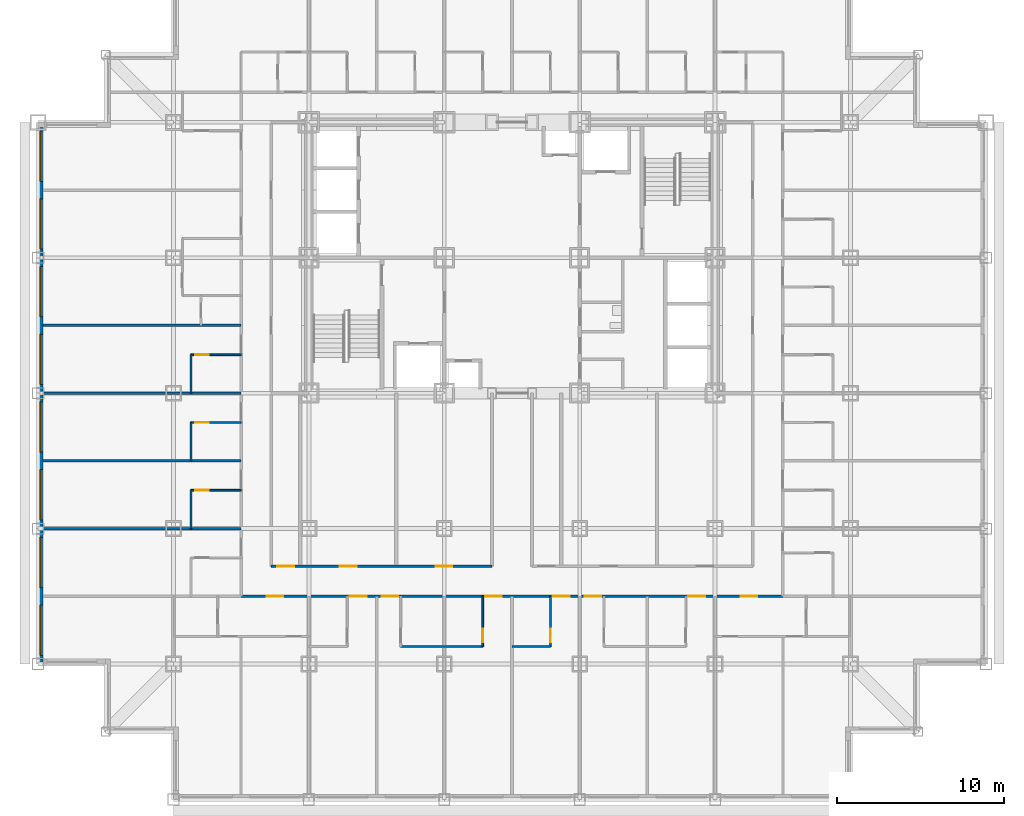
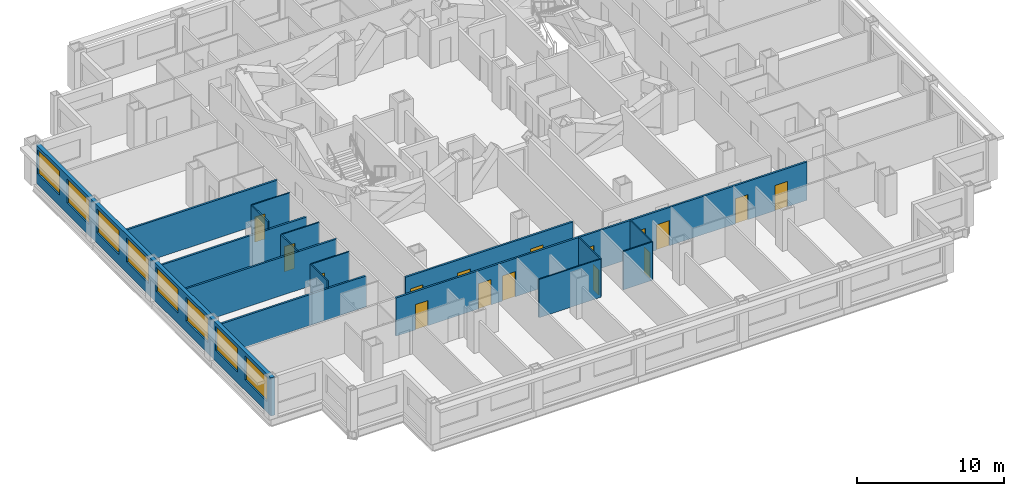
# One storey, part 4 of 12: 17 walls, 16 doors, 8 windows, 24 openings.
"""IFC4 building model written with IfcOpenShell, lengths in metres."""

from ifc_helpers import new_model, si_unit, direction, frame, frame_2d, origin, place, context, subcontext, project, spatial, rectangle, extrude, material, layer, layer_set, type_object, element, fill, save


model = new_model("IFC4")

# Units and contexts
model_context = context("Model", 3, precision=1e-05, world=origin(), true_north=direction((0.0, 1.0)))
body_context = subcontext(model_context, "Body", "Model", "MODEL_VIEW")
ifc_project = project(units=[si_unit("LENGTHUNIT", "METRE"), si_unit("AREAUNIT", "SQUARE_METRE"), si_unit("VOLUMEUNIT", "CUBIC_METRE"), si_unit("PLANEANGLEUNIT", "RADIAN"), si_unit("MASSUNIT", "GRAM", prefix="KILO")], contexts=[model_context])

# Site, building, storey
site_placement = place(None, origin())
site = spatial("IfcSite", under=ifc_project, at=site_placement, CompositionType="ELEMENT")
building_placement = place(site_placement, origin())
building = spatial("IfcBuilding", under=site, at=building_placement, Name="Kopane Lantern Tower", CompositionType="ELEMENT")
storey_placement = place(building_placement, frame((0.0, 0.0, 53.39990234375)))
storey = spatial("IfcBuildingStorey", under=building, at=storey_placement, Name="L12", CompositionType="ELEMENT", Elevation=53.39990234375)

# Wall
ifc_material_1 = material(Name="Moisture-resistant board on steel studs", Category="steel")
ifc_layer_1 = layer(ifc_material_1, 0.10009765625)
ifc_layer_set_1 = layer_set([ifc_layer_1], Name="BATHROOM WALL 100")
wall_type_1 = type_object("IfcWallType", Name="BATHROOM WALL 100", PredefinedType="PARTITIONING", material=ifc_layer_set_1)
wall_1_placement = place(storey_placement, frame((21.699951171875, 9.14990234375, 0.0), z_axis=(0.0, 0.0, 1.0), x_axis=(1.0, 0.0, 0.0)))
element("IfcWall", 1, at=wall_1_placement, inside=storey, type_object=wall_type_1, Name="Bathroom Wall 100 L12", PredefinedType="PARTITIONING", context=body_context, shape_type="SweptSolid", body=[
    extrude(rectangle(XDim=4.900146484375, YDim=0.10009765625, at=frame_2d((2.4501953125, 0.0))), origin(), (0.0, 0.0, 1.0), 3.190185546875),
])

# Wall, opening, door
wall_2_placement = place(storey_placement, frame((26.60009765625, 12.14990234375, 0.0), z_axis=(0.0, 0.0, 1.0), x_axis=(0.0, -1.0, 0.0)))
wall_2 = element("IfcWall", 2, at=wall_2_placement, inside=storey, type_object=wall_type_1, Name="Bathroom Wall 100 L12", PredefinedType="PARTITIONING", context=body_context, shape_type="SweptSolid", body=[
    extrude(rectangle(XDim=3.0, YDim=0.10009765625, at=frame_2d((1.5, 0.0))), origin(), (0.0, 0.0, 1.0), 3.190185546875),
])
opening_1_placement = place(wall_2_placement, frame((1.949951171875, 0.0, 0.0)))
opening_1 = element("IfcOpeningElement", 3, at=opening_1_placement, cuts=wall_2, Name="Opening L12-015", PredefinedType="OPENING", context=body_context, shape_type="SweptSolid", body=[
    extrude(rectangle(XDim=0.800048828125, YDim=2.10009765625, at=frame_2d((0.39990234375, 1.050048828125))), frame((0.0, 0.06005859375, 0.0), z_axis=(0.0, -1.0, 0.0), x_axis=(1.0, 0.0, 0.0)), (0.0, 0.0, 1.0), 0.1201171875),
])
ifc_material_2 = material(Name="Timber door set", Category="wood")
door_type_1 = type_object("IfcDoorType", Name="DOOR D2 800x2100", OperationType="SINGLE_SWING_LEFT", PredefinedType="DOOR", material=ifc_material_2)
door_1_placement = place(opening_1_placement, origin())
door_1 = element("IfcDoor", 4, at=door_1_placement, inside=storey, type_object=door_type_1, Name="Door L12-015", OperationType="SINGLE_SWING_LEFT", OverallHeight=2.10009765625, OverallWidth=0.800048828125, PredefinedType="DOOR", context=body_context, shape_type="SweptSolid", body=[
    extrude(rectangle(XDim=0.800048828125, YDim=2.10009765625, at=frame_2d((0.39990234375, 1.050048828125))), frame((0.0, 0.02490234375, 0.0), z_axis=(0.0, -1.0, 0.0), x_axis=(1.0, 0.0, 0.0)), (0.0, 0.0, 1.0), 0.050048828125),
])
fill(opening_1, door_1)

# Wall
wall_3_placement = place(storey_placement, frame((28.35009765625, 9.14990234375, 0.0), z_axis=(0.0, 0.0, 1.0), x_axis=(1.0, 0.0, 0.0)))
element("IfcWall", 5, at=wall_3_placement, inside=storey, type_object=wall_type_1, Name="Bathroom Wall 100 L12", PredefinedType="PARTITIONING", context=body_context, shape_type="SweptSolid", body=[
    extrude(rectangle(XDim=2.2998046875, YDim=0.10009765625, at=frame_2d((1.14990234375, 0.0))), origin(), (0.0, 0.0, 1.0), 3.190185546875),
])

# Wall, opening, door
wall_4_placement = place(storey_placement, frame((30.64990234375, 12.14990234375, 0.0), z_axis=(0.0, 0.0, 1.0), x_axis=(0.0, -1.0, 0.0)))
wall_4 = element("IfcWall", 6, at=wall_4_placement, inside=storey, type_object=wall_type_1, Name="Bathroom Wall 100 L12", PredefinedType="PARTITIONING", context=body_context, shape_type="SweptSolid", body=[
    extrude(rectangle(XDim=3.0, YDim=0.10009765625, at=frame_2d((1.5, 0.0))), origin(), (0.0, 0.0, 1.0), 3.190185546875),
])
opening_2_placement = place(wall_4_placement, frame((1.949951171875, 0.0, 0.0)))
opening_2 = element("IfcOpeningElement", 7, at=opening_2_placement, cuts=wall_4, Name="Opening L12-017", PredefinedType="OPENING", context=body_context, shape_type="SweptSolid", body=[
    extrude(rectangle(XDim=0.800048828125, YDim=2.10009765625, at=frame_2d((0.39990234375, 1.050048828125))), frame((0.0, 0.06005859375, 0.0), z_axis=(0.0, -1.0, 0.0), x_axis=(1.0, 0.0, 0.0)), (0.0, 0.0, 1.0), 0.1201171875),
])
door_2_placement = place(opening_2_placement, origin())
door_2 = element("IfcDoor", 8, at=door_2_placement, inside=storey, type_object=door_type_1, Name="Door L12-017", OperationType="SINGLE_SWING_LEFT", OverallHeight=2.10009765625, OverallWidth=0.800048828125, PredefinedType="DOOR", context=body_context, shape_type="SweptSolid", body=[
    extrude(rectangle(XDim=0.800048828125, YDim=2.10009765625, at=frame_2d((0.39990234375, 1.050048828125))), frame((0.0, 0.02490234375, 0.0), z_axis=(0.0, -1.0, 0.0), x_axis=(1.0, 0.0, 0.0)), (0.0, 0.0, 1.0), 0.050048828125),
])
fill(opening_2, door_2)

# Wall
wall_5_placement = place(storey_placement, frame((9.14990234375, 16.199951171875, 0.0), z_axis=(0.0, 0.0, 1.0), x_axis=(0.0, 1.0, 0.0)))
element("IfcWall", 9, at=wall_5_placement, inside=storey, type_object=wall_type_1, Name="Bathroom Wall 100 L12", PredefinedType="PARTITIONING", context=body_context, shape_type="SweptSolid", body=[
    extrude(rectangle(XDim=2.300048828125, YDim=0.10009765625, at=frame_2d((1.14990234375, 0.0))), origin(), (0.0, 0.0, 1.0), 3.190185546875),
])

# Wall, opening, door
wall_6_placement = place(storey_placement, frame((12.14990234375, 18.5, 0.0), z_axis=(0.0, 0.0, 1.0), x_axis=(-1.0, 0.0, 0.0)))
wall_6 = element("IfcWall", 10, at=wall_6_placement, inside=storey, type_object=wall_type_1, Name="Bathroom Wall 100 L12", PredefinedType="PARTITIONING", context=body_context, shape_type="SweptSolid", body=[
    extrude(rectangle(XDim=3.0, YDim=0.10009765625, at=frame_2d((1.5, 0.0))), origin(), (0.0, 0.0, 1.0), 3.190185546875),
])
opening_3_placement = place(wall_6_placement, frame((1.949951171875, 0.0, 0.0)))
opening_3 = element("IfcOpeningElement", 11, at=opening_3_placement, cuts=wall_6, Name="Opening L12-037", PredefinedType="OPENING", context=body_context, shape_type="SweptSolid", body=[
    extrude(rectangle(XDim=0.800048828125, YDim=2.10009765625, at=frame_2d((0.39990234375, 1.050048828125))), frame((0.0, 0.06005859375, 0.0), z_axis=(0.0, -1.0, 0.0), x_axis=(1.0, 0.0, 0.0)), (0.0, 0.0, 1.0), 0.1201171875),
])
door_3_placement = place(opening_3_placement, origin())
door_3 = element("IfcDoor", 12, at=door_3_placement, inside=storey, type_object=door_type_1, Name="Door L12-037", OperationType="SINGLE_SWING_RIGHT", OverallHeight=2.10009765625, OverallWidth=0.800048828125, PredefinedType="DOOR", context=body_context, shape_type="SweptSolid", body=[
    extrude(rectangle(XDim=0.800048828125, YDim=2.10009765625, at=frame_2d((0.39990234375, 1.050048828125))), frame((0.0, 0.02490234375, 0.0), z_axis=(0.0, -1.0, 0.0), x_axis=(1.0, 0.0, 0.0)), (0.0, 0.0, 1.0), 0.050048828125),
])
fill(opening_3, door_3)

# Wall
wall_7_placement = place(storey_placement, frame((9.14990234375, 20.25, 0.0), z_axis=(0.0, 0.0, 1.0), x_axis=(0.0, 1.0, 0.0)))
element("IfcWall", 13, at=wall_7_placement, inside=storey, type_object=wall_type_1, Name="Bathroom Wall 100 L12", PredefinedType="PARTITIONING", context=body_context, shape_type="SweptSolid", body=[
    extrude(rectangle(XDim=2.300048828125, YDim=0.10009765625, at=frame_2d((1.14990234375, 0.0))), origin(), (0.0, 0.0, 1.0), 3.190185546875),
])

# Wall, opening, door
wall_8_placement = place(storey_placement, frame((12.14990234375, 22.550048828125, 0.0), z_axis=(0.0, 0.0, 1.0), x_axis=(-1.0, 0.0, 0.0)))
wall_8 = element("IfcWall", 14, at=wall_8_placement, inside=storey, type_object=wall_type_1, Name="Bathroom Wall 100 L12", PredefinedType="PARTITIONING", context=body_context, shape_type="SweptSolid", body=[
    extrude(rectangle(XDim=3.0, YDim=0.10009765625, at=frame_2d((1.5, 0.0))), origin(), (0.0, 0.0, 1.0), 3.190185546875),
])
opening_4_placement = place(wall_8_placement, frame((1.949951171875, 0.0, 0.0)))
opening_4 = element("IfcOpeningElement", 15, at=opening_4_placement, cuts=wall_8, Name="Opening L12-039", PredefinedType="OPENING", context=body_context, shape_type="SweptSolid", body=[
    extrude(rectangle(XDim=0.800048828125, YDim=2.10009765625, at=frame_2d((0.39990234375, 1.050048828125))), frame((0.0, 0.06005859375, 0.0), z_axis=(0.0, -1.0, 0.0), x_axis=(1.0, 0.0, 0.0)), (0.0, 0.0, 1.0), 0.1201171875),
])
door_4_placement = place(opening_4_placement, origin())
door_4 = element("IfcDoor", 16, at=door_4_placement, inside=storey, type_object=door_type_1, Name="Door L12-039", OperationType="SINGLE_SWING_RIGHT", OverallHeight=2.10009765625, OverallWidth=0.800048828125, PredefinedType="DOOR", context=body_context, shape_type="SweptSolid", body=[
    extrude(rectangle(XDim=0.800048828125, YDim=2.10009765625, at=frame_2d((0.39990234375, 1.050048828125))), frame((0.0, 0.02490234375, 0.0), z_axis=(0.0, -1.0, 0.0), x_axis=(1.0, 0.0, 0.0)), (0.0, 0.0, 1.0), 0.050048828125),
])
fill(opening_4, door_4)

# Wall
wall_9_placement = place(storey_placement, frame((9.14990234375, 24.300048828125, 0.0), z_axis=(0.0, 0.0, 1.0), x_axis=(0.0, 1.0, 0.0)))
element("IfcWall", 17, at=wall_9_placement, inside=storey, type_object=wall_type_1, Name="Bathroom Wall 100 L12", PredefinedType="PARTITIONING", context=body_context, shape_type="SweptSolid", body=[
    extrude(rectangle(XDim=2.300048828125, YDim=0.10009765625, at=frame_2d((1.14990234375, 0.0))), origin(), (0.0, 0.0, 1.0), 3.190185546875),
])

# Wall, opening, door
wall_10_placement = place(storey_placement, frame((12.14990234375, 26.60009765625, 0.0), z_axis=(0.0, 0.0, 1.0), x_axis=(-1.0, 0.0, 0.0)))
wall_10 = element("IfcWall", 18, at=wall_10_placement, inside=storey, type_object=wall_type_1, Name="Bathroom Wall 100 L12", PredefinedType="PARTITIONING", context=body_context, shape_type="SweptSolid", body=[
    extrude(rectangle(XDim=3.0, YDim=0.10009765625, at=frame_2d((1.5, 0.0))), origin(), (0.0, 0.0, 1.0), 3.190185546875),
])
opening_5_placement = place(wall_10_placement, frame((1.949951171875, 0.0, 0.0)))
opening_5 = element("IfcOpeningElement", 19, at=opening_5_placement, cuts=wall_10, Name="Opening L12-041", PredefinedType="OPENING", context=body_context, shape_type="SweptSolid", body=[
    extrude(rectangle(XDim=0.800048828125, YDim=2.10009765625, at=frame_2d((0.39990234375, 1.050048828125))), frame((0.0, 0.06005859375, 0.0), z_axis=(0.0, -1.0, 0.0), x_axis=(1.0, 0.0, 0.0)), (0.0, 0.0, 1.0), 0.1201171875),
])
door_5_placement = place(opening_5_placement, origin())
door_5 = element("IfcDoor", 20, at=door_5_placement, inside=storey, type_object=door_type_1, Name="Door L12-041", OperationType="SINGLE_SWING_RIGHT", OverallHeight=2.10009765625, OverallWidth=0.800048828125, PredefinedType="DOOR", context=body_context, shape_type="SweptSolid", body=[
    extrude(rectangle(XDim=0.800048828125, YDim=2.10009765625, at=frame_2d((0.39990234375, 1.050048828125))), frame((0.0, 0.02490234375, 0.0), z_axis=(0.0, -1.0, 0.0), x_axis=(1.0, 0.0, 0.0)), (0.0, 0.0, 1.0), 0.050048828125),
])
fill(opening_5, door_5)

# Wall, openings, doors
ifc_material_3 = material(Name="Gypsum board on steel studs", Category="steel")
ifc_layer_2 = layer(ifc_material_3, 0.14990234375)
ifc_layer_set_2 = layer_set([ifc_layer_2], Name="CORRIDOR WALL 150 EI 60")
wall_type_2 = type_object("IfcWallType", Name="CORRIDOR WALL 150 EI 60", PredefinedType="PARTITIONING", material=ifc_layer_set_2)
wall_11_placement = place(storey_placement, frame((12.14990234375, 12.14990234375, 0.0), z_axis=(0.0, 0.0, 1.0), x_axis=(1.0, 0.0, 0.0)))
wall_11 = element("IfcWall", 21, at=wall_11_placement, inside=storey, type_object=wall_type_2, Name="Corridor Wall 150 Ei 60 L12", PredefinedType="PARTITIONING", context=body_context, shape_type="SweptSolid", body=[
    extrude(rectangle(XDim=32.400146484375, YDim=0.14990234375, at=frame_2d((16.2001953125, 0.0))), origin(), (0.0, 0.0, 1.0), 3.190185546875),
])
opening_6_placement = place(wall_11_placement, frame((6.5, 0.0, 0.0)))
opening_6 = element("IfcOpeningElement", 22, at=opening_6_placement, cuts=wall_11, Name="Opening L12-012", PredefinedType="OPENING", context=body_context, shape_type="SweptSolid", body=[
    extrude(rectangle(XDim=1.0, YDim=2.10009765625, at=frame_2d((0.5, 1.050048828125))), frame((0.0, 0.0849609375, 0.0), z_axis=(0.0, -1.0, 0.0), x_axis=(1.0, 0.0, 0.0)), (0.0, 0.0, 1.0), 0.169921875),
])
opening_7_placement = place(wall_11_placement, frame((8.39990234375, 0.0, 0.0)))
opening_7 = element("IfcOpeningElement", 23, at=opening_7_placement, cuts=wall_11, Name="Opening L12-014", PredefinedType="OPENING", context=body_context, shape_type="SweptSolid", body=[
    extrude(rectangle(XDim=1.0, YDim=2.10009765625, at=frame_2d((0.5, 1.050048828125))), frame((0.0, 0.0849609375, 0.0), z_axis=(0.0, -1.0, 0.0), x_axis=(1.0, 0.0, 0.0)), (0.0, 0.0, 1.0), 0.169921875),
])
opening_8_placement = place(wall_11_placement, frame((14.60009765625, 0.0, 0.0)))
opening_8 = element("IfcOpeningElement", 24, at=opening_8_placement, cuts=wall_11, Name="Opening L12-016", PredefinedType="OPENING", context=body_context, shape_type="SweptSolid", body=[
    extrude(rectangle(XDim=1.0, YDim=2.10009765625, at=frame_2d((0.5, 1.050048828125))), frame((0.0, 0.0849609375, 0.0), z_axis=(0.0, -1.0, 0.0), x_axis=(1.0, 0.0, 0.0)), (0.0, 0.0, 1.0), 0.169921875),
])
opening_9_placement = place(wall_11_placement, frame((18.64990234375, 0.0, 0.0)))
opening_9 = element("IfcOpeningElement", 25, at=opening_9_placement, cuts=wall_11, Name="Opening L12-018", PredefinedType="OPENING", context=body_context, shape_type="SweptSolid", body=[
    extrude(rectangle(XDim=1.0, YDim=2.10009765625, at=frame_2d((0.5, 1.050048828125))), frame((0.0, 0.0849609375, 0.0), z_axis=(0.0, -1.0, 0.0), x_axis=(1.0, 0.0, 0.0)), (0.0, 0.0, 1.0), 0.169921875),
])
opening_10_placement = place(wall_11_placement, frame((20.550048828125, 0.0, 0.0)))
opening_10 = element("IfcOpeningElement", 26, at=opening_10_placement, cuts=wall_11, Name="Opening L12-020", PredefinedType="OPENING", context=body_context, shape_type="SweptSolid", body=[
    extrude(rectangle(XDim=1.0, YDim=2.10009765625, at=frame_2d((0.5, 1.050048828125))), frame((0.0, 0.0849609375, 0.0), z_axis=(0.0, -1.0, 0.0), x_axis=(1.0, 0.0, 0.0)), (0.0, 0.0, 1.0), 0.169921875),
])
opening_11_placement = place(wall_11_placement, frame((26.75, 0.0, 0.0)))
opening_11 = element("IfcOpeningElement", 27, at=opening_11_placement, cuts=wall_11, Name="Opening L12-022", PredefinedType="OPENING", context=body_context, shape_type="SweptSolid", body=[
    extrude(rectangle(XDim=1.0, YDim=2.10009765625, at=frame_2d((0.5, 1.050048828125))), frame((0.0, 0.0849609375, 0.0), z_axis=(0.0, -1.0, 0.0), x_axis=(1.0, 0.0, 0.0)), (0.0, 0.0, 1.0), 0.169921875),
])
opening_12_placement = place(wall_11_placement, frame((1.52490234375, 0.0, 0.0)))
opening_12 = element("IfcOpeningElement", 28, at=opening_12_placement, cuts=wall_11, Name="Opening L12-062", PredefinedType="OPENING", context=body_context, shape_type="SweptSolid", body=[
    extrude(rectangle(XDim=1.0, YDim=2.10009765625, at=frame_2d((0.5, 1.050048828125))), frame((0.0, 0.0849609375, 0.0), z_axis=(0.0, -1.0, 0.0), x_axis=(1.0, 0.0, 0.0)), (0.0, 0.0, 1.0), 0.169921875),
])
opening_13_placement = place(wall_11_placement, frame((29.875, 0.0, 0.0)))
opening_13 = element("IfcOpeningElement", 29, at=opening_13_placement, cuts=wall_11, Name="Opening L12-066", PredefinedType="OPENING", context=body_context, shape_type="SweptSolid", body=[
    extrude(rectangle(XDim=1.0, YDim=2.10009765625, at=frame_2d((0.5, 1.050048828125))), frame((0.0, 0.0849609375, 0.0), z_axis=(0.0, -1.0, 0.0), x_axis=(1.0, 0.0, 0.0)), (0.0, 0.0, 1.0), 0.169921875),
])
ifc_material_4 = material(Name="Steel door set", Category="steel")
door_type_2 = type_object("IfcDoorType", Name="DOOR D1 1000x2100 FD30S", OperationType="SINGLE_SWING_LEFT", PredefinedType="DOOR", material=ifc_material_4)
door_6_placement = place(opening_6_placement, origin())
door_6 = element("IfcDoor", 30, at=door_6_placement, inside=storey, type_object=door_type_2, Name="Door L12-012", OperationType="SINGLE_SWING_RIGHT", OverallHeight=2.10009765625, OverallWidth=1.0, PredefinedType="DOOR", context=body_context, shape_type="SweptSolid", body=[
    extrude(rectangle(XDim=1.0, YDim=2.10009765625, at=frame_2d((0.5, 1.050048828125))), frame((0.0, 0.02490234375, 0.0), z_axis=(0.0, -1.0, 0.0), x_axis=(1.0, 0.0, 0.0)), (0.0, 0.0, 1.0), 0.050048828125),
])
fill(opening_6, door_6)
door_7_placement = place(opening_7_placement, origin())
door_7 = element("IfcDoor", 31, at=door_7_placement, inside=storey, type_object=door_type_2, Name="Door L12-014", OperationType="SINGLE_SWING_LEFT", OverallHeight=2.10009765625, OverallWidth=1.0, PredefinedType="DOOR", context=body_context, shape_type="SweptSolid", body=[
    extrude(rectangle(XDim=1.0, YDim=2.10009765625, at=frame_2d((0.5, 1.050048828125))), frame((0.0, 0.02490234375, 0.0), z_axis=(0.0, -1.0, 0.0), x_axis=(1.0, 0.0, 0.0)), (0.0, 0.0, 1.0), 0.050048828125),
])
fill(opening_7, door_7)
door_8_placement = place(opening_8_placement, origin())
door_8 = element("IfcDoor", 32, at=door_8_placement, inside=storey, type_object=door_type_2, Name="Door L12-016", OperationType="SINGLE_SWING_RIGHT", OverallHeight=2.10009765625, OverallWidth=1.0, PredefinedType="DOOR", context=body_context, shape_type="SweptSolid", body=[
    extrude(rectangle(XDim=1.0, YDim=2.10009765625, at=frame_2d((0.5, 1.050048828125))), frame((0.0, 0.02490234375, 0.0), z_axis=(0.0, -1.0, 0.0), x_axis=(1.0, 0.0, 0.0)), (0.0, 0.0, 1.0), 0.050048828125),
])
fill(opening_8, door_8)
door_9_placement = place(opening_9_placement, origin())
door_9 = element("IfcDoor", 33, at=door_9_placement, inside=storey, type_object=door_type_2, Name="Door L12-018", OperationType="SINGLE_SWING_RIGHT", OverallHeight=2.10009765625, OverallWidth=1.0, PredefinedType="DOOR", context=body_context, shape_type="SweptSolid", body=[
    extrude(rectangle(XDim=1.0, YDim=2.10009765625, at=frame_2d((0.5, 1.050048828125))), frame((0.0, 0.02490234375, 0.0), z_axis=(0.0, -1.0, 0.0), x_axis=(1.0, 0.0, 0.0)), (0.0, 0.0, 1.0), 0.050048828125),
])
fill(opening_9, door_9)
door_10_placement = place(opening_10_placement, origin())
door_10 = element("IfcDoor", 34, at=door_10_placement, inside=storey, type_object=door_type_2, Name="Door L12-020", OperationType="SINGLE_SWING_LEFT", OverallHeight=2.10009765625, OverallWidth=1.0, PredefinedType="DOOR", context=body_context, shape_type="SweptSolid", body=[
    extrude(rectangle(XDim=1.0, YDim=2.10009765625, at=frame_2d((0.5, 1.050048828125))), frame((0.0, 0.02490234375, 0.0), z_axis=(0.0, -1.0, 0.0), x_axis=(1.0, 0.0, 0.0)), (0.0, 0.0, 1.0), 0.050048828125),
])
fill(opening_10, door_10)
door_11_placement = place(opening_11_placement, origin())
door_11 = element("IfcDoor", 35, at=door_11_placement, inside=storey, type_object=door_type_2, Name="Door L12-022", OperationType="SINGLE_SWING_RIGHT", OverallHeight=2.10009765625, OverallWidth=1.0, PredefinedType="DOOR", context=body_context, shape_type="SweptSolid", body=[
    extrude(rectangle(XDim=1.0, YDim=2.10009765625, at=frame_2d((0.5, 1.050048828125))), frame((0.0, 0.02490234375, 0.0), z_axis=(0.0, -1.0, 0.0), x_axis=(1.0, 0.0, 0.0)), (0.0, 0.0, 1.0), 0.050048828125),
])
fill(opening_11, door_11)
door_12_placement = place(opening_12_placement, origin())
door_12 = element("IfcDoor", 36, at=door_12_placement, inside=storey, type_object=door_type_2, Name="Door L12-062", OperationType="SINGLE_SWING_LEFT", OverallHeight=2.10009765625, OverallWidth=1.0, PredefinedType="DOOR", context=body_context, shape_type="SweptSolid", body=[
    extrude(rectangle(XDim=1.0, YDim=2.10009765625, at=frame_2d((0.5, 1.050048828125))), frame((0.0, 0.02490234375, 0.0), z_axis=(0.0, -1.0, 0.0), x_axis=(1.0, 0.0, 0.0)), (0.0, 0.0, 1.0), 0.050048828125),
])
fill(opening_12, door_12)
door_13_placement = place(opening_13_placement, origin())
door_13 = element("IfcDoor", 37, at=door_13_placement, inside=storey, type_object=door_type_2, Name="Door L12-066", OperationType="SINGLE_SWING_RIGHT", OverallHeight=2.10009765625, OverallWidth=1.0, PredefinedType="DOOR", context=body_context, shape_type="SweptSolid", body=[
    extrude(rectangle(XDim=1.0, YDim=2.10009765625, at=frame_2d((0.5, 1.050048828125))), frame((0.0, 0.02490234375, 0.0), z_axis=(0.0, -1.0, 0.0), x_axis=(1.0, 0.0, 0.0)), (0.0, 0.0, 1.0), 0.050048828125),
])
fill(opening_13, door_13)

wall_12_placement = place(storey_placement, frame((13.949951171875, 13.949951171875, 0.0), z_axis=(0.0, 0.0, 1.0), x_axis=(1.0, 0.0, 0.0)))
wall_12 = element("IfcWall", 38, at=wall_12_placement, inside=storey, type_object=wall_type_2, Name="Corridor Wall 150 Ei 60 L12", PredefinedType="PARTITIONING", context=body_context, shape_type="SweptSolid", body=[
    extrude(rectangle(XDim=13.18994140625, YDim=0.14990234375, at=frame_2d((6.594970703125, 0.0))), origin(), (0.0, 0.0, 1.0), 3.190185546875),
])
opening_14_placement = place(wall_12_placement, frame((0.36962890625, 0.0, 0.0)))
opening_14 = element("IfcOpeningElement", 39, at=opening_14_placement, cuts=wall_12, Name="Opening L12-005", PredefinedType="OPENING", context=body_context, shape_type="SweptSolid", body=[
    extrude(rectangle(XDim=1.0, YDim=2.10009765625, at=frame_2d((0.5, 1.050048828125))), frame((0.0, 0.0849609375, 0.0), z_axis=(0.0, -1.0, 0.0), x_axis=(1.0, 0.0, 0.0)), (0.0, 0.0, 1.0), 0.169921875),
])
opening_15_placement = place(wall_12_placement, frame((4.104248046875, 0.0, 0.0)))
opening_15 = element("IfcOpeningElement", 40, at=opening_15_placement, cuts=wall_12, Name="Opening L12-006", PredefinedType="OPENING", context=body_context, shape_type="SweptSolid", body=[
    extrude(rectangle(XDim=1.0, YDim=2.10009765625, at=frame_2d((0.5, 1.050048828125))), frame((0.0, 0.0849609375, 0.0), z_axis=(0.0, -1.0, 0.0), x_axis=(1.0, 0.0, 0.0)), (0.0, 0.0, 1.0), 0.169921875),
])
opening_16_placement = place(wall_12_placement, frame((9.834716796875, 0.0, 0.0)))
opening_16 = element("IfcOpeningElement", 41, at=opening_16_placement, cuts=wall_12, Name="Opening L12-007", PredefinedType="OPENING", context=body_context, shape_type="SweptSolid", body=[
    extrude(rectangle(XDim=1.0, YDim=2.10009765625, at=frame_2d((0.5, 1.050048828125))), frame((0.0, 0.0849609375, 0.0), z_axis=(0.0, -1.0, 0.0), x_axis=(1.0, 0.0, 0.0)), (0.0, 0.0, 1.0), 0.169921875),
])
ifc_material_5 = material(Name="Steel door set", Category="steel")
door_type_3 = type_object("IfcDoorType", Name="DOOR D5 1000x2100 FD60", OperationType="SINGLE_SWING_LEFT", PredefinedType="DOOR", material=ifc_material_5)
door_14_placement = place(opening_14_placement, origin())
door_14 = element("IfcDoor", 42, at=door_14_placement, inside=storey, type_object=door_type_3, Name="Door L12-005", OperationType="SINGLE_SWING_LEFT", OverallHeight=2.10009765625, OverallWidth=1.0, PredefinedType="DOOR", context=body_context, shape_type="SweptSolid", body=[
    extrude(rectangle(XDim=1.0, YDim=2.10009765625, at=frame_2d((0.5, 1.050048828125))), frame((0.0, 0.02490234375, 0.0), z_axis=(0.0, -1.0, 0.0), x_axis=(1.0, 0.0, 0.0)), (0.0, 0.0, 1.0), 0.050048828125),
])
fill(opening_14, door_14)
door_15_placement = place(opening_15_placement, origin())
door_15 = element("IfcDoor", 43, at=door_15_placement, inside=storey, type_object=door_type_3, Name="Door L12-006", OperationType="SINGLE_SWING_RIGHT", OverallHeight=2.10009765625, OverallWidth=1.0, PredefinedType="DOOR", context=body_context, shape_type="SweptSolid", body=[
    extrude(rectangle(XDim=1.0, YDim=2.10009765625, at=frame_2d((0.5, 1.050048828125))), frame((0.0, 0.02490234375, 0.0), z_axis=(0.0, -1.0, 0.0), x_axis=(1.0, 0.0, 0.0)), (0.0, 0.0, 1.0), 0.050048828125),
])
fill(opening_15, door_15)
door_16_placement = place(opening_16_placement, origin())
door_16 = element("IfcDoor", 44, at=door_16_placement, inside=storey, type_object=door_type_3, Name="Door L12-007", OperationType="SINGLE_SWING_LEFT", OverallHeight=2.10009765625, OverallWidth=1.0, PredefinedType="DOOR", context=body_context, shape_type="SweptSolid", body=[
    extrude(rectangle(XDim=1.0, YDim=2.10009765625, at=frame_2d((0.5, 1.050048828125))), frame((0.0, 0.02490234375, 0.0), z_axis=(0.0, -1.0, 0.0), x_axis=(1.0, 0.0, 0.0)), (0.0, 0.0, 1.0), 0.050048828125),
])
fill(opening_16, door_16)

# Walls
ifc_material_6 = material(Name="Gypsum board on steel studs", Category="steel")
ifc_layer_3 = layer(ifc_material_6, 0.14990234375)
ifc_layer_set_3 = layer_set([ifc_layer_3], Name="DEMISING WALL 150 EI 60")
wall_type_3 = type_object("IfcWallType", Name="DEMISING WALL 150 EI 60", PredefinedType="PARTITIONING", material=ifc_layer_set_3)
wall_13_placement = place(storey_placement, frame((12.14990234375, 16.199951171875, 0.0), z_axis=(0.0, 0.0, 1.0), x_axis=(-1.0, 0.0, 0.0)))
element("IfcWall", 45, at=wall_13_placement, inside=storey, type_object=wall_type_3, Name="Demising Wall 150 Ei 60 L12", PredefinedType="PARTITIONING", context=body_context, shape_type="SweptSolid", body=[
    extrude(rectangle(XDim=11.849853515625, YDim=0.14990234375, at=frame_2d((5.9248046875, 0.0))), origin(), (0.0, 0.0, 1.0), 2.577880859375),
])
wall_14_placement = place(storey_placement, frame((12.14990234375, 20.25, 0.0), z_axis=(0.0, 0.0, 1.0), x_axis=(-1.0, 0.0, 0.0)))
element("IfcWall", 46, at=wall_14_placement, inside=storey, type_object=wall_type_3, Name="Demising Wall 150 Ei 60 L12", PredefinedType="PARTITIONING", context=body_context, shape_type="SweptSolid", body=[
    extrude(rectangle(XDim=11.849853515625, YDim=0.14990234375, at=frame_2d((5.9248046875, 0.0))), origin(), (0.0, 0.0, 1.0), 3.190185546875),
])
wall_15_placement = place(storey_placement, frame((12.14990234375, 24.300048828125, 0.0), z_axis=(0.0, 0.0, 1.0), x_axis=(-1.0, 0.0, 0.0)))
element("IfcWall", 47, at=wall_15_placement, inside=storey, type_object=wall_type_3, Name="Demising Wall 150 Ei 60 L12", PredefinedType="PARTITIONING", context=body_context, shape_type="SweptSolid", body=[
    extrude(rectangle(XDim=11.849853515625, YDim=0.14990234375, at=frame_2d((5.9248046875, 0.0))), origin(), (0.0, 0.0, 1.0), 2.577880859375),
])
wall_16_placement = place(storey_placement, frame((12.14990234375, 28.35009765625, 0.0), z_axis=(0.0, 0.0, 1.0), x_axis=(-1.0, 0.0, 0.0)))
element("IfcWall", 48, at=wall_16_placement, inside=storey, type_object=wall_type_3, Name="Demising Wall 150 Ei 60 L12", PredefinedType="PARTITIONING", context=body_context, shape_type="SweptSolid", body=[
    extrude(rectangle(XDim=11.849853515625, YDim=0.14990234375, at=frame_2d((5.9248046875, 0.0))), origin(), (0.0, 0.0, 1.0), 3.190185546875),
])

# Wall, openings, windows
ifc_material_7 = material(Name="Terracotta rainscreen on light steel framing", Category="masonry")
ifc_layer_4 = layer(ifc_material_7, 0.300048828125)
ifc_layer_set_4 = layer_set([ifc_layer_4], Name="EXTERNAL WALL EW1 300 TERRACOTTA")
wall_type_4 = type_object("IfcWallType", Name="EXTERNAL WALL EW1 300 TERRACOTTA", PredefinedType="SOLIDWALL", material=ifc_layer_set_4)
wall_17_placement = place(storey_placement, frame((0.14990234375, 40.199951171875, 0.0), z_axis=(0.0, 0.0, 1.0), x_axis=(0.0, -1.0, 0.0)))
wall_17 = element("IfcWall", 49, at=wall_17_placement, inside=storey, type_object=wall_type_4, Name="External wall W L12", PredefinedType="SOLIDWALL", context=body_context, shape_type="SweptSolid", body=[
    extrude(rectangle(XDim=32.099853515625, YDim=0.300048828125, at=frame_2d((16.0498046875, 0.0))), origin(), (0.0, 0.0, 1.0), 3.190185546875),
])
opening_17_placement = place(wall_17_placement, frame((0.22509765625, 0.0, 0.89990234375)))
opening_17 = element("IfcOpeningElement", 50, at=opening_17_placement, cuts=wall_17, Name="Opening WR300200", PredefinedType="OPENING", context=body_context, shape_type="SweptSolid", body=[
    extrude(rectangle(XDim=3.0, YDim=2.0, at=frame_2d((1.5, 1.0))), frame((0.0, 0.159912109375, 0.0), z_axis=(0.0, -1.0, 0.0), x_axis=(1.0, 0.0, 0.0)), (0.0, 0.0, 1.0), 0.320068359375),
])
opening_18_placement = place(wall_17_placement, frame((4.27490234375, 0.0, 0.89990234375)))
opening_18 = element("IfcOpeningElement", 51, at=opening_18_placement, cuts=wall_17, Name="Opening WR300200", PredefinedType="OPENING", context=body_context, shape_type="SweptSolid", body=[
    extrude(rectangle(XDim=3.0, YDim=2.0, at=frame_2d((1.5, 1.0))), frame((0.0, 0.159912109375, 0.0), z_axis=(0.0, -1.0, 0.0), x_axis=(1.0, 0.0, 0.0)), (0.0, 0.0, 1.0), 0.320068359375),
])
opening_19_placement = place(wall_17_placement, frame((8.324951171875, 0.0, 0.89990234375)))
opening_19 = element("IfcOpeningElement", 52, at=opening_19_placement, cuts=wall_17, Name="Opening WR300200", PredefinedType="OPENING", context=body_context, shape_type="SweptSolid", body=[
    extrude(rectangle(XDim=3.0, YDim=2.0, at=frame_2d((1.5, 1.0))), frame((0.0, 0.159912109375, 0.0), z_axis=(0.0, -1.0, 0.0), x_axis=(1.0, 0.0, 0.0)), (0.0, 0.0, 1.0), 0.320068359375),
])
opening_20_placement = place(wall_17_placement, frame((12.375, 0.0, 0.89990234375)))
opening_20 = element("IfcOpeningElement", 53, at=opening_20_placement, cuts=wall_17, Name="Opening WR300200", PredefinedType="OPENING", context=body_context, shape_type="SweptSolid", body=[
    extrude(rectangle(XDim=3.0, YDim=2.0, at=frame_2d((1.5, 1.0))), frame((0.0, 0.159912109375, 0.0), z_axis=(0.0, -1.0, 0.0), x_axis=(1.0, 0.0, 0.0)), (0.0, 0.0, 1.0), 0.320068359375),
])
opening_21_placement = place(wall_17_placement, frame((16.425048828125, 0.0, 0.89990234375)))
opening_21 = element("IfcOpeningElement", 54, at=opening_21_placement, cuts=wall_17, Name="Opening WR300200", PredefinedType="OPENING", context=body_context, shape_type="SweptSolid", body=[
    extrude(rectangle(XDim=3.0, YDim=2.0, at=frame_2d((1.5, 1.0))), frame((0.0, 0.159912109375, 0.0), z_axis=(0.0, -1.0, 0.0), x_axis=(1.0, 0.0, 0.0)), (0.0, 0.0, 1.0), 0.320068359375),
])
opening_22_placement = place(wall_17_placement, frame((20.47509765625, 0.0, 0.89990234375)))
opening_22 = element("IfcOpeningElement", 55, at=opening_22_placement, cuts=wall_17, Name="Opening WR300200", PredefinedType="OPENING", context=body_context, shape_type="SweptSolid", body=[
    extrude(rectangle(XDim=3.0, YDim=2.0, at=frame_2d((1.5, 1.0))), frame((0.0, 0.159912109375, 0.0), z_axis=(0.0, -1.0, 0.0), x_axis=(1.0, 0.0, 0.0)), (0.0, 0.0, 1.0), 0.320068359375),
])
opening_23_placement = place(wall_17_placement, frame((24.52490234375, 0.0, 0.89990234375)))
opening_23 = element("IfcOpeningElement", 56, at=opening_23_placement, cuts=wall_17, Name="Opening WR300200", PredefinedType="OPENING", context=body_context, shape_type="SweptSolid", body=[
    extrude(rectangle(XDim=3.0, YDim=2.0, at=frame_2d((1.5, 1.0))), frame((0.0, 0.159912109375, 0.0), z_axis=(0.0, -1.0, 0.0), x_axis=(1.0, 0.0, 0.0)), (0.0, 0.0, 1.0), 0.320068359375),
])
opening_24_placement = place(wall_17_placement, frame((28.574951171875, 0.0, 0.89990234375)))
opening_24 = element("IfcOpeningElement", 57, at=opening_24_placement, cuts=wall_17, Name="Opening WR300200", PredefinedType="OPENING", context=body_context, shape_type="SweptSolid", body=[
    extrude(rectangle(XDim=3.0, YDim=2.0, at=frame_2d((1.5, 1.0))), frame((0.0, 0.159912109375, 0.0), z_axis=(0.0, -1.0, 0.0), x_axis=(1.0, 0.0, 0.0)), (0.0, 0.0, 1.0), 0.320068359375),
])
ifc_material_8 = material(Name="Aluminium and clear glass", Category="aluminium")
window_type = type_object("IfcWindowType", Name="RIBBON WINDOW WR300200 3000x2000", PartitioningType="SINGLE_PANEL", PredefinedType="WINDOW", material=ifc_material_8)
window_1_placement = place(opening_17_placement, origin())
window_1 = element("IfcWindow", 58, at=window_1_placement, inside=storey, type_object=window_type, Name="Window W L12", OverallHeight=2.0, OverallWidth=3.0, PartitioningType="SINGLE_PANEL", PredefinedType="WINDOW", context=body_context, shape_type="SweptSolid", body=[
    extrude(rectangle(XDim=3.0, YDim=2.0, at=frame_2d((1.5, 1.0))), frame((0.0, 0.030029296875, 0.0), z_axis=(0.0, -1.0, 0.0), x_axis=(1.0, 0.0, 0.0)), (0.0, 0.0, 1.0), 0.06005859375),
])
fill(opening_17, window_1)
window_2_placement = place(opening_18_placement, origin())
window_2 = element("IfcWindow", 59, at=window_2_placement, inside=storey, type_object=window_type, Name="Window W L12", OverallHeight=2.0, OverallWidth=3.0, PartitioningType="SINGLE_PANEL", PredefinedType="WINDOW", context=body_context, shape_type="SweptSolid", body=[
    extrude(rectangle(XDim=3.0, YDim=2.0, at=frame_2d((1.5, 1.0))), frame((0.0, 0.030029296875, 0.0), z_axis=(0.0, -1.0, 0.0), x_axis=(1.0, 0.0, 0.0)), (0.0, 0.0, 1.0), 0.06005859375),
])
fill(opening_18, window_2)
window_3_placement = place(opening_19_placement, origin())
window_3 = element("IfcWindow", 60, at=window_3_placement, inside=storey, type_object=window_type, Name="Window W L12", OverallHeight=2.0, OverallWidth=3.0, PartitioningType="SINGLE_PANEL", PredefinedType="WINDOW", context=body_context, shape_type="SweptSolid", body=[
    extrude(rectangle(XDim=3.0, YDim=2.0, at=frame_2d((1.5, 1.0))), frame((0.0, 0.030029296875, 0.0), z_axis=(0.0, -1.0, 0.0), x_axis=(1.0, 0.0, 0.0)), (0.0, 0.0, 1.0), 0.06005859375),
])
fill(opening_19, window_3)
window_4_placement = place(opening_20_placement, origin())
window_4 = element("IfcWindow", 61, at=window_4_placement, inside=storey, type_object=window_type, Name="Window W L12", OverallHeight=2.0, OverallWidth=3.0, PartitioningType="SINGLE_PANEL", PredefinedType="WINDOW", context=body_context, shape_type="SweptSolid", body=[
    extrude(rectangle(XDim=3.0, YDim=2.0, at=frame_2d((1.5, 1.0))), frame((0.0, 0.030029296875, 0.0), z_axis=(0.0, -1.0, 0.0), x_axis=(1.0, 0.0, 0.0)), (0.0, 0.0, 1.0), 0.06005859375),
])
fill(opening_20, window_4)
window_5_placement = place(opening_21_placement, origin())
window_5 = element("IfcWindow", 62, at=window_5_placement, inside=storey, type_object=window_type, Name="Window W L12", OverallHeight=2.0, OverallWidth=3.0, PartitioningType="SINGLE_PANEL", PredefinedType="WINDOW", context=body_context, shape_type="SweptSolid", body=[
    extrude(rectangle(XDim=3.0, YDim=2.0, at=frame_2d((1.5, 1.0))), frame((0.0, 0.030029296875, 0.0), z_axis=(0.0, -1.0, 0.0), x_axis=(1.0, 0.0, 0.0)), (0.0, 0.0, 1.0), 0.06005859375),
])
fill(opening_21, window_5)
window_6_placement = place(opening_22_placement, origin())
window_6 = element("IfcWindow", 63, at=window_6_placement, inside=storey, type_object=window_type, Name="Window W L12", OverallHeight=2.0, OverallWidth=3.0, PartitioningType="SINGLE_PANEL", PredefinedType="WINDOW", context=body_context, shape_type="SweptSolid", body=[
    extrude(rectangle(XDim=3.0, YDim=2.0, at=frame_2d((1.5, 1.0))), frame((0.0, 0.030029296875, 0.0), z_axis=(0.0, -1.0, 0.0), x_axis=(1.0, 0.0, 0.0)), (0.0, 0.0, 1.0), 0.06005859375),
])
fill(opening_22, window_6)
window_7_placement = place(opening_23_placement, origin())
window_7 = element("IfcWindow", 64, at=window_7_placement, inside=storey, type_object=window_type, Name="Window W L12", OverallHeight=2.0, OverallWidth=3.0, PartitioningType="SINGLE_PANEL", PredefinedType="WINDOW", context=body_context, shape_type="SweptSolid", body=[
    extrude(rectangle(XDim=3.0, YDim=2.0, at=frame_2d((1.5, 1.0))), frame((0.0, 0.030029296875, 0.0), z_axis=(0.0, -1.0, 0.0), x_axis=(1.0, 0.0, 0.0)), (0.0, 0.0, 1.0), 0.06005859375),
])
fill(opening_23, window_7)
window_8_placement = place(opening_24_placement, origin())
window_8 = element("IfcWindow", 65, at=window_8_placement, inside=storey, type_object=window_type, Name="Window W L12", OverallHeight=2.0, OverallWidth=3.0, PartitioningType="SINGLE_PANEL", PredefinedType="WINDOW", context=body_context, shape_type="SweptSolid", body=[
    extrude(rectangle(XDim=3.0, YDim=2.0, at=frame_2d((1.5, 1.0))), frame((0.0, 0.030029296875, 0.0), z_axis=(0.0, -1.0, 0.0), x_axis=(1.0, 0.0, 0.0)), (0.0, 0.0, 1.0), 0.06005859375),
])
fill(opening_24, window_8)

save(model, "model.ifc")
